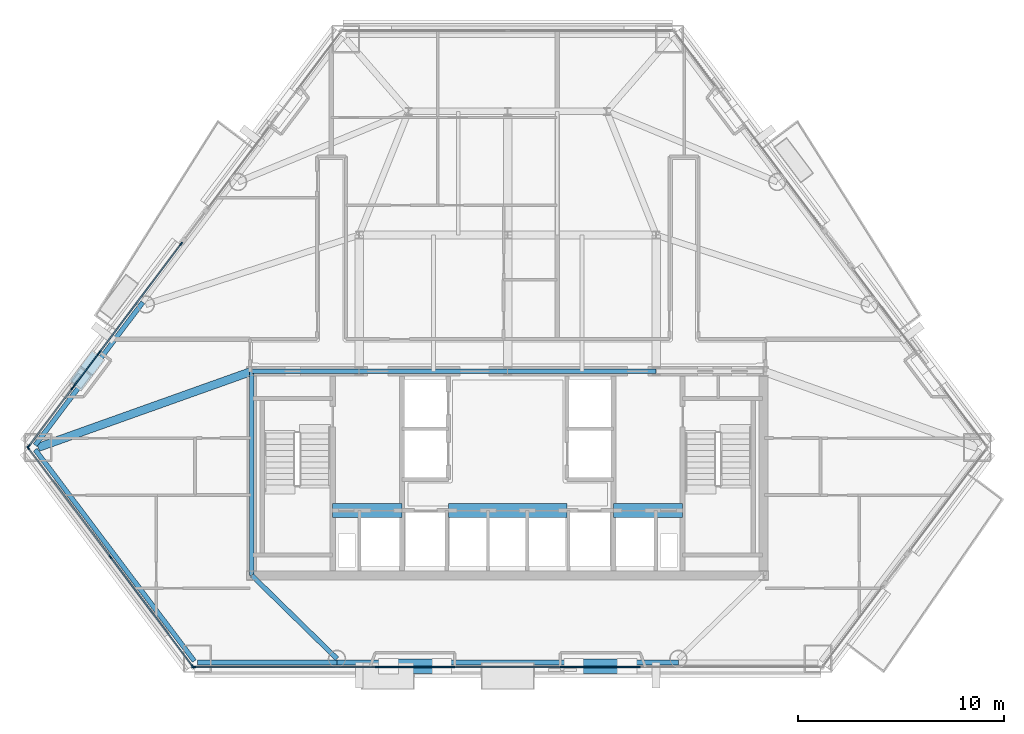
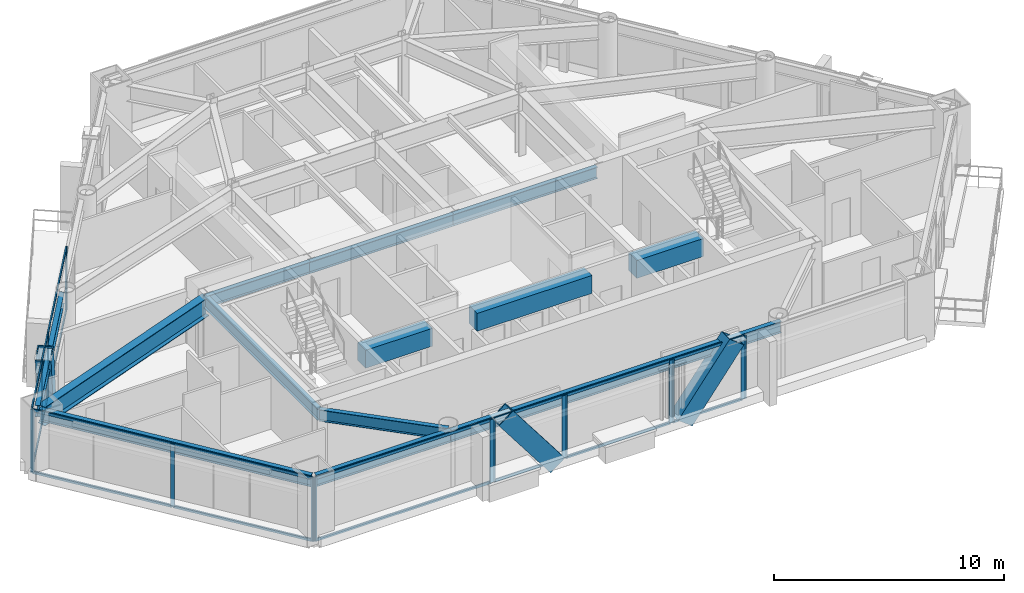
# One storey, part 2 of 11: 39 members, 13 beams, 9 elements without a shape of their own.
"""IFC4 building model written with IfcOpenShell, lengths in metres."""

from ifc_helpers import new_model, si_unit, direction, frame, origin, origin_2d, place, context, subcontext, project, spatial, rectangle, hollow_rectangle, i_section, extrude, material, layer, layer_set, material_profile, profile_set, type_object, element, aggregate, save


model = new_model("IFC4")

# Units and contexts
model_context = context("Model", 3, precision=1e-05, world=origin(), true_north=direction((0.0, 1.0)))
body_context = subcontext(model_context, "Body", "Model", "MODEL_VIEW")
ifc_project = project(units=[si_unit("LENGTHUNIT", "METRE"), si_unit("AREAUNIT", "SQUARE_METRE"), si_unit("VOLUMEUNIT", "CUBIC_METRE"), si_unit("PLANEANGLEUNIT", "RADIAN"), si_unit("MASSUNIT", "GRAM", prefix="KILO")], contexts=[model_context])

# Site, building, storey
site_placement = place(None, origin())
site = spatial("IfcSite", under=ifc_project, at=site_placement, CompositionType="ELEMENT")
building_placement = place(site_placement, origin())
building = spatial("IfcBuilding", under=site, at=building_placement, Name="Talgorran Terracotta Tower", CompositionType="ELEMENT")
storey_placement = place(building_placement, frame((0.0, 0.0, 42.300048828125)))
storey = spatial("IfcBuildingStorey", under=building, at=storey_placement, Name="L10", CompositionType="ELEMENT", Elevation=42.300048828125)

# Beams
ifc_material_1 = material(Name="Steel Grade 350 (350L0)", Category="steel")
ifc_material_profile_1 = material_profile(ifc_material_1, i_section(OverallWidth=0.39990234375, OverallDepth=1.0, WebThickness=0.01611328125, FlangeThickness=0.031005859375, at=origin_2d()), Name="1000WB296")
ifc_profile_set_1 = profile_set([ifc_material_profile_1], Name="Steel Grade 350 (350L0)")
beam_type_1 = type_object("IfcBeamType", Name="BM_1000WB296", PredefinedType="BEAM", material=ifc_profile_set_1)
beam_1_placement = place(storey_placement, frame((-12.39990234375, -4.199951171875, 2.849853515625), z_axis=(-0.941952171634, -0.335747086889, 0.0), x_axis=(0.335747086889, -0.941952171634, 0.0)))
element("IfcBeam", 1, at=beam_1_placement, inside=storey, type_object=beam_type_1, Name="L10 Floor Girder G17", PredefinedType="BEAM", context=body_context, shape_type="SweptSolid", body=[
    extrude(i_section(OverallWidth=0.39990234375, OverallDepth=1.0, WebThickness=0.01611328125, FlangeThickness=0.031005859375, at=origin_2d()), origin(), (0.0, 0.0, 1.0), 10.99755859375),
])
ifc_material_2 = material(Name="Concrete C65/80", Category="concrete")
ifc_material_profile_2 = material_profile(ifc_material_2, rectangle(XDim=0.699951171875, YDim=0.949951171875, at=origin_2d()), Name="RCCB700X950")
ifc_profile_set_2 = profile_set([ifc_material_profile_2], Name="Concrete C65/80")
beam_type_2 = type_object("IfcBeamType", Name="BM_CB_700X950", PredefinedType="LINTEL", material=ifc_profile_set_2)
beam_2_placement = place(storey_placement, frame((-8.47998046875, -10.949951171875, 2.875), z_axis=(1.0, 0.0, 0.0), x_axis=(0.0, 1.0, 0.0)))
element("IfcBeam", 2, at=beam_2_placement, inside=storey, type_object=beam_type_2, Name="L10 Core Shear-Wall Coupling Beam CB1", PredefinedType="LINTEL", context=body_context, shape_type="SweptSolid", body=[
    extrude(rectangle(XDim=0.699951171875, YDim=0.949951171875, at=origin_2d()), origin(), (0.0, 0.0, 1.0), 3.35986328125),
])
beam_3_placement = place(storey_placement, frame((-2.8798828125, -10.949951171875, 2.875), z_axis=(1.0, 0.0, 0.0), x_axis=(0.0, 1.0, 0.0)))
element("IfcBeam", 3, at=beam_3_placement, inside=storey, type_object=beam_type_2, Name="L10 Core Shear-Wall Coupling Beam CB2", PredefinedType="LINTEL", context=body_context, shape_type="SweptSolid", body=[
    extrude(rectangle(XDim=0.699951171875, YDim=0.949951171875, at=origin_2d()), origin(), (0.0, 0.0, 1.0), 5.759765625),
])
beam_4_placement = place(storey_placement, frame((5.1201171875, -10.949951171875, 2.875), z_axis=(1.0, 0.0, 0.0), x_axis=(0.0, 1.0, 0.0)))
element("IfcBeam", 4, at=beam_4_placement, inside=storey, type_object=beam_type_2, Name="L10 Core Shear-Wall Coupling Beam CB3", PredefinedType="LINTEL", context=body_context, shape_type="SweptSolid", body=[
    extrude(rectangle(XDim=0.699951171875, YDim=0.949951171875, at=origin_2d()), origin(), (0.0, 0.0, 1.0), 3.35986328125),
])
ifc_material_3 = material(Name="Steel S355 (300PLUS)", Category="steel")
ifc_material_profile_3 = material_profile(ifc_material_3, i_section(OverallWidth=0.22900390625, OverallDepth=0.611572265625, WebThickness=0.011962890625, FlangeThickness=0.01953125, at=origin_2d()), Name="610UB125")
ifc_profile_set_3 = profile_set([ifc_material_profile_3], Name="Steel S355 (300PLUS)")
beam_type_3 = type_object("IfcBeamType", Name="BM_SP_610UB125", PredefinedType="SPANDREL", material=ifc_profile_set_3)
beam_5_placement = place(storey_placement, frame((-22.90283203125, -8.000732421875, 3.044189453125), z_axis=(0.601631480878, -0.79877378601, 0.0), x_axis=(0.79877378601, 0.601631480878, 0.0)))
element("IfcBeam", 5, at=beam_5_placement, inside=storey, type_object=beam_type_3, Name="L10 Perimeter Spandrel Beam MC1-MC2", PredefinedType="SPANDREL", context=body_context, shape_type="SweptSolid", body=[
    extrude(i_section(OverallWidth=0.22900390625, OverallDepth=0.611572265625, WebThickness=0.011962890625, FlangeThickness=0.01953125, at=origin_2d()), origin(), (0.0, 0.0, 1.0), 12.82373046875),
])
beam_6_placement = place(storey_placement, frame((-15.0439453125, -18.315673828125, 3.044189453125), z_axis=(1.0, 0.0, 0.0), x_axis=(0.0, 1.0, 0.0)))
element("IfcBeam", 6, at=beam_6_placement, inside=storey, type_object=beam_type_3, Name="L10 Perimeter Spandrel Beam MC2-FC1", PredefinedType="SPANDREL", context=body_context, shape_type="SweptSolid", body=[
    extrude(i_section(OverallWidth=0.22900390625, OverallDepth=0.611572265625, WebThickness=0.011962890625, FlangeThickness=0.01953125, at=origin_2d()), origin(), (0.0, 0.0, 1.0), 6.769775390625),
])
beam_7_placement = place(storey_placement, frame((-8.274169921875, -18.315673828125, 3.044189453125), z_axis=(1.0, 0.0, 0.0), x_axis=(0.0, 1.0, 0.0)))
element("IfcBeam", 7, at=beam_7_placement, inside=storey, type_object=beam_type_3, Name="L10 Perimeter Spandrel Beam FC1-FC2", PredefinedType="SPANDREL", context=body_context, shape_type="SweptSolid", body=[
    extrude(i_section(OverallWidth=0.22900390625, OverallDepth=0.611572265625, WebThickness=0.011962890625, FlangeThickness=0.01953125, at=origin_2d()), origin(), (0.0, 0.0, 1.0), 16.54833984375),
])
beam_8_placement = place(storey_placement, frame((-17.68359375, -0.854736328125, 3.044189453125), z_axis=(-0.601633271951, -0.798772436981, 0.0), x_axis=(0.798772436981, -0.601633271951, 0.0)))
element("IfcBeam", 8, at=beam_8_placement, inside=storey, type_object=beam_type_3, Name="L10 Perimeter Spandrel Beam FC6-MC1", PredefinedType="SPANDREL", context=body_context, shape_type="SweptSolid", body=[
    extrude(i_section(OverallWidth=0.22900390625, OverallDepth=0.611572265625, WebThickness=0.011962890625, FlangeThickness=0.01953125, at=origin_2d()), origin(), (0.0, 0.0, 1.0), 8.675048828125),
])
beam_9_placement = place(storey_placement, frame((-8.274169921875, -18.135498046875, 3.044189453125), z_axis=(-0.714889648405, 0.699237292058, 0.0), x_axis=(-0.699237292058, -0.714889648405, 0.0)))
element("IfcBeam", 9, at=beam_9_placement, inside=storey, type_object=beam_type_3, Name="L10 South-West Core Tie Beam", PredefinedType="SPANDREL", context=body_context, shape_type="SweptSolid", body=[
    extrude(i_section(OverallWidth=0.22900390625, OverallDepth=0.611572265625, WebThickness=0.011962890625, FlangeThickness=0.01953125, at=origin_2d()), origin(), (0.0, 0.0, 1.0), 5.771240234375),
])
beam_10_placement = place(storey_placement, frame((-12.39990234375, -14.10009765625, 3.044189453125), z_axis=(0.0, 1.0, 0.0), x_axis=(-1.0, 0.0, 0.0)))
element("IfcBeam", 10, at=beam_10_placement, inside=storey, type_object=beam_type_3, Name="L10 Core Frame Beam CFW", PredefinedType="SPANDREL", context=body_context, shape_type="SweptSolid", body=[
    extrude(i_section(OverallWidth=0.22900390625, OverallDepth=0.611572265625, WebThickness=0.011962890625, FlangeThickness=0.01953125, at=origin_2d()), origin(), (0.0, 0.0, 1.0), 9.900146484375),
])
beam_11_placement = place(storey_placement, frame((-12.39990234375, -4.199951171875, 3.044189453125), z_axis=(1.0, 0.0, 0.0), x_axis=(0.0, 1.0, 0.0)))
element("IfcBeam", 11, at=beam_11_placement, inside=storey, type_object=beam_type_3, Name="L10 Core Frame Beam CFN1", PredefinedType="SPANDREL", context=body_context, shape_type="SweptSolid", body=[
    extrude(i_section(OverallWidth=0.22900390625, OverallDepth=0.611572265625, WebThickness=0.011962890625, FlangeThickness=0.01953125, at=origin_2d()), origin(), (0.0, 0.0, 1.0), 5.199951171875),
])
for number, where, z_axis, x_axis, name in (
    (12, (-7.199951171875, -4.199951171875, 3.044189453125), (1.0, 0.0, 0.0), (0.0, 1.0, 0.0), "L10 Core Frame Beam CFN2"),
    (13, (0.0, -4.199951171875, 3.044189453125), (1.0, 0.0, 0.0), (0.0, 1.0, 0.0), "L10 Core Frame Beam CFN3"),
):
    element("IfcBeam", number, at=place(storey_placement, frame(where, z_axis=z_axis, x_axis=x_axis)), inside=storey, type_object=beam_type_3, Name=name, PredefinedType="SPANDREL", context=body_context, shape_type="SweptSolid", body=[
        extrude(i_section(OverallWidth=0.22900390625, OverallDepth=0.611572265625, WebThickness=0.011962890625, FlangeThickness=0.01953125, at=origin_2d()), origin(), (0.0, 0.0, 1.0), 7.199951171875),
    ])

# Members
ifc_material_profile_4 = material_profile(ifc_material_1, hollow_rectangle(XDim=0.699951171875, YDim=0.89990234375, WallThickness=0.050048828125, at=origin_2d()), Name="WBOX900X700X50")
ifc_profile_set_4 = profile_set([ifc_material_profile_4], Name="Steel Grade 350 (350L0)")
member_type_1 = type_object("IfcMemberType", Name="MB_MEGA_900", PredefinedType="BRACE", material=ifc_profile_set_4)
for number, where, z_axis, x_axis, name in (
    (14, (-3.197021484375, -18.49560546875, -0.025146484375), (-0.605643759268, 0.0, 0.795735908993), (0.0, -1.0, 0.0), "L10 Exterior Face Mega-Brace MB-1 (SWF)"),
    (15, (3.197021484375, -18.49560546875, -0.025146484375), (0.605643759268, 0.0, 0.795735908993), (0.0, 1.0, 0.0), "L10 Exterior Face Mega-Brace MB-1 (SEF)"),
):
    element("IfcMember", number, at=place(storey_placement, frame(where, z_axis=z_axis, x_axis=x_axis)), inside=storey, type_object=member_type_1, Name=name, PredefinedType="BRACE", context=body_context, shape_type="SweptSolid", body=[
        extrude(hollow_rectangle(XDim=0.699951171875, YDim=0.89990234375, WallThickness=0.050048828125, at=origin_2d()), origin(), (0.0, 0.0, 1.0), 4.27294921875),
    ])
member_1_placement = place(storey_placement, frame((-20.127685546875, -3.80029296875, -0.025146484375), z_axis=(-0.159320244597, -0.211526878419, 0.964299455236), x_axis=(0.798774681466, -0.601630291998, 0.0)))
element("IfcMember", 16, at=member_1_placement, inside=storey, type_object=member_type_1, Name="L10 Exterior Face Mega-Brace MB-1 (NWL)", PredefinedType="BRACE", context=body_context, shape_type="SweptSolid", body=[
    extrude(hollow_rectangle(XDim=0.699951171875, YDim=0.89990234375, WallThickness=0.050048828125, at=origin_2d()), origin(), (0.0, 0.0, 1.0), 3.526123046875),
])

# Curtain wall, members
ifc_material_4 = material(Name="Unitised Low-E Double Glazing", Category="glass")
ifc_layer = layer(ifc_material_4, 0.199951171875, Name="CW_SYS2_RES_LOW")
ifc_layer_set = layer_set([ifc_layer], Name="Unitised Low-E Double Glazing")
curtain_wall_type = type_object("IfcCurtainWallType", Name="CW_SYS2_RES_LOW", PredefinedType="NOTDEFINED", material=ifc_layer_set)
curtain_wall_1_placement = place(storey_placement, origin())
curtain_wall_1 = element("IfcCurtainWall", 17, at=curtain_wall_1_placement, inside=storey, type_object=curtain_wall_type, Name="CW-L10-F0", PredefinedType="NOTDEFINED")
ifc_material_5 = material(Name="Architectural Aluminium 6063-T6", Category="aluminium")
ifc_material_profile_5 = material_profile(ifc_material_5, rectangle(XDim=0.06494140625, YDim=0.18505859375, at=origin_2d()), Name="CWM65X185")
ifc_profile_set_5 = profile_set([ifc_material_profile_5], Name="Architectural Aluminium 6063-T6")
member_type_2 = type_object("IfcMemberType", Name="MUL_65X185", PredefinedType="MULLION", material=ifc_profile_set_5)
member_2_placement = place(storey_placement, frame((-23.240234375, -7.91845703125, 0.0), z_axis=(0.0, 0.0, 1.0), x_axis=(0.798773515054, 0.60163184062, 0.0)))
member_2 = element("IfcMember", 18, at=member_2_placement, type_object=member_type_2, Name="CW-L10-0 mullion 1", PredefinedType="MULLION", context=body_context, shape_type="SweptSolid", body=[
    extrude(rectangle(XDim=0.06494140625, YDim=0.18505859375, at=origin_2d()), origin(), (0.0, 0.0, 1.0), 3.349853515625),
])
member_3_placement = place(storey_placement, frame((-19.251708984375, -13.214111328125, 0.0), z_axis=(0.0, 0.0, 1.0), x_axis=(0.798773515054, 0.60163184062, 0.0)))
member_3 = element("IfcMember", 19, at=member_3_placement, type_object=member_type_2, Name="CW-L10-0 mullion 2", PredefinedType="MULLION", context=body_context, shape_type="SweptSolid", body=[
    extrude(rectangle(XDim=0.06494140625, YDim=0.18505859375, at=origin_2d()), origin(), (0.0, 0.0, 1.0), 3.349853515625),
])
member_4_placement = place(storey_placement, frame((-15.262939453125, -18.509521484375, 0.0), z_axis=(0.0, 0.0, 1.0), x_axis=(0.798773515054, 0.60163184062, 0.0)))
member_4 = element("IfcMember", 20, at=member_4_placement, type_object=member_type_2, Name="CW-L10-0 mullion 3", PredefinedType="MULLION", context=body_context, shape_type="SweptSolid", body=[
    extrude(rectangle(XDim=0.06494140625, YDim=0.18505859375, at=origin_2d()), origin(), (0.0, 0.0, 1.0), 3.349853515625),
])

curtain_wall_2_placement = place(storey_placement, origin())
curtain_wall_2 = element("IfcCurtainWall", 21, at=curtain_wall_2_placement, inside=storey, type_object=curtain_wall_type, Name="CW-L10-F1", PredefinedType="NOTDEFINED")
member_5_placement = place(storey_placement, frame((-15.2109375, -18.53564453125, 0.0), z_axis=(0.0, 0.0, 1.0), x_axis=(0.0, 1.0, 0.0)))
member_5 = element("IfcMember", 22, at=member_5_placement, type_object=member_type_2, Name="CW-L10-1 mullion 1", PredefinedType="MULLION", context=body_context, shape_type="SweptSolid", body=[
    extrude(rectangle(XDim=0.06494140625, YDim=0.18505859375, at=origin_2d()), origin(), (0.0, 0.0, 1.0), 3.349853515625),
])
member_6_placement = place(storey_placement, frame((-6.33056640625, -18.53564453125, 0.0), z_axis=(0.0, 0.0, 1.0), x_axis=(0.0, 1.0, 0.0)))
member_6 = element("IfcMember", 23, at=member_6_placement, type_object=member_type_2, Name="CW-L10-1 mullion 2", PredefinedType="MULLION", context=body_context, shape_type="SweptSolid", body=[
    extrude(rectangle(XDim=0.06494140625, YDim=0.18505859375, at=origin_2d()), origin(), (0.0, 0.0, 1.0), 3.349853515625),
])

curtain_wall_3_placement = place(storey_placement, origin())
curtain_wall_3 = element("IfcCurtainWall", 24, at=curtain_wall_3_placement, inside=storey, type_object=curtain_wall_type, Name="CW-L10-F1B", PredefinedType="NOTDEFINED")
member_7_placement = place(storey_placement, frame((-6.255615234375, -18.53564453125, 0.0), z_axis=(0.0, 0.0, 1.0), x_axis=(0.0, 1.0, 0.0)))
member_7 = element("IfcMember", 25, at=member_7_placement, type_object=member_type_2, Name="CW-L10-1B mullion 1", PredefinedType="MULLION", context=body_context, shape_type="SweptSolid", body=[
    extrude(rectangle(XDim=0.06494140625, YDim=0.18505859375, at=origin_2d()), origin(), (0.0, 0.0, 1.0), 3.349853515625),
])
member_8_placement = place(storey_placement, frame((-2.726318359375, -18.53564453125, 0.0), z_axis=(0.0, 0.0, 1.0), x_axis=(0.0, 1.0, 0.0)))
member_8 = element("IfcMember", 26, at=member_8_placement, type_object=member_type_2, Name="CW-L10-1B mullion 2", PredefinedType="MULLION", context=body_context, shape_type="SweptSolid", body=[
    extrude(rectangle(XDim=0.06494140625, YDim=0.18505859375, at=origin_2d()), origin(), (0.0, 0.0, 1.0), 3.349853515625),
])

curtain_wall_4_placement = place(storey_placement, origin())
curtain_wall_4 = element("IfcCurtainWall", 27, at=curtain_wall_4_placement, inside=storey, type_object=curtain_wall_type, Name="CW-L10-F1C", PredefinedType="NOTDEFINED")
member_9_placement = place(storey_placement, frame((-2.6513671875, -18.53564453125, 0.0), z_axis=(0.0, 0.0, 1.0), x_axis=(0.0, 1.0, 0.0)))
member_9 = element("IfcMember", 28, at=member_9_placement, type_object=member_type_2, Name="CW-L10-1C mullion 1", PredefinedType="MULLION", context=body_context, shape_type="SweptSolid", body=[
    extrude(rectangle(XDim=0.06494140625, YDim=0.18505859375, at=origin_2d()), origin(), (0.0, 0.0, 1.0), 3.349853515625),
])
member_10_placement = place(storey_placement, frame((2.6513671875, -18.53564453125, 0.0), z_axis=(0.0, 0.0, 1.0), x_axis=(0.0, 1.0, 0.0)))
member_10 = element("IfcMember", 29, at=member_10_placement, type_object=member_type_2, Name="CW-L10-1C mullion 2", PredefinedType="MULLION", context=body_context, shape_type="SweptSolid", body=[
    extrude(rectangle(XDim=0.06494140625, YDim=0.18505859375, at=origin_2d()), origin(), (0.0, 0.0, 1.0), 3.349853515625),
])

curtain_wall_5_placement = place(storey_placement, origin())
curtain_wall_5 = element("IfcCurtainWall", 30, at=curtain_wall_5_placement, inside=storey, type_object=curtain_wall_type, Name="CW-L10-F1D", PredefinedType="NOTDEFINED")
member_11_placement = place(storey_placement, frame((2.726318359375, -18.53564453125, 0.0), z_axis=(0.0, 0.0, 1.0), x_axis=(0.0, 1.0, 0.0)))
member_11 = element("IfcMember", 31, at=member_11_placement, type_object=member_type_2, Name="CW-L10-1D mullion 1", PredefinedType="MULLION", context=body_context, shape_type="SweptSolid", body=[
    extrude(rectangle(XDim=0.06494140625, YDim=0.18505859375, at=origin_2d()), origin(), (0.0, 0.0, 1.0), 3.349853515625),
])
member_12_placement = place(storey_placement, frame((6.255615234375, -18.53564453125, 0.0), z_axis=(0.0, 0.0, 1.0), x_axis=(0.0, 1.0, 0.0)))
member_12 = element("IfcMember", 32, at=member_12_placement, type_object=member_type_2, Name="CW-L10-1D mullion 2", PredefinedType="MULLION", context=body_context, shape_type="SweptSolid", body=[
    extrude(rectangle(XDim=0.06494140625, YDim=0.18505859375, at=origin_2d()), origin(), (0.0, 0.0, 1.0), 3.349853515625),
])

# Curtain wall, member
curtain_wall_6_placement = place(storey_placement, origin())
curtain_wall_6 = element("IfcCurtainWall", 33, at=curtain_wall_6_placement, inside=storey, type_object=curtain_wall_type, Name="CW-L10-F1E", PredefinedType="NOTDEFINED")
member_13_placement = place(storey_placement, frame((6.33056640625, -18.53564453125, 0.0), z_axis=(0.0, 0.0, 1.0), x_axis=(0.0, 1.0, 0.0)))
member_13 = element("IfcMember", 34, at=member_13_placement, type_object=member_type_2, Name="CW-L10-1E mullion 1", PredefinedType="MULLION", context=body_context, shape_type="SweptSolid", body=[
    extrude(rectangle(XDim=0.06494140625, YDim=0.18505859375, at=origin_2d()), origin(), (0.0, 0.0, 1.0), 3.349853515625),
])
aggregate(curtain_wall_6, [member_13])

# Curtain wall, members
curtain_wall_7_placement = place(storey_placement, origin())
curtain_wall_7 = element("IfcCurtainWall", 35, at=curtain_wall_7_placement, inside=storey, type_object=curtain_wall_type, Name="CW-L10-F61", PredefinedType="NOTDEFINED")
member_14_placement = place(storey_placement, frame((-15.83154296875, 1.97021484375, 0.0), z_axis=(0.0, 0.0, 1.0), x_axis=(0.798778008849, -0.60162587426, 0.0)))
member_14 = element("IfcMember", 36, at=member_14_placement, type_object=member_type_2, Name="CW-L10-61 mullion 1", PredefinedType="MULLION", context=body_context, shape_type="SweptSolid", body=[
    extrude(rectangle(XDim=0.06494140625, YDim=0.18505859375, at=origin_2d()), origin(), (0.0, 0.0, 1.0), 3.349853515625),
])
member_15_placement = place(storey_placement, frame((-19.78564453125, -3.27978515625, 0.0), z_axis=(0.0, 0.0, 1.0), x_axis=(0.798778008849, -0.60162587426, 0.0)))
member_15 = element("IfcMember", 37, at=member_15_placement, type_object=member_type_2, Name="CW-L10-61 mullion 2", PredefinedType="MULLION", context=body_context, shape_type="SweptSolid", body=[
    extrude(rectangle(XDim=0.06494140625, YDim=0.18505859375, at=origin_2d()), origin(), (0.0, 0.0, 1.0), 3.349853515625),
])

curtain_wall_8_placement = place(storey_placement, origin())
curtain_wall_8 = element("IfcCurtainWall", 38, at=curtain_wall_8_placement, inside=storey, type_object=curtain_wall_type, Name="CW-L10-F61B", PredefinedType="NOTDEFINED")
member_16_placement = place(storey_placement, frame((-19.830810546875, -3.33984375, 0.0), z_axis=(0.0, 0.0, 1.0), x_axis=(0.798782111654, -0.601620426931, 0.0)))
member_16 = element("IfcMember", 39, at=member_16_placement, type_object=member_type_2, Name="CW-L10-61B mullion 1", PredefinedType="MULLION", context=body_context, shape_type="SweptSolid", body=[
    extrude(rectangle(XDim=0.06494140625, YDim=0.18505859375, at=origin_2d()), origin(), (0.0, 0.0, 1.0), 3.349853515625),
])
member_17_placement = place(storey_placement, frame((-21.050048828125, -4.958740234375, 0.0), z_axis=(0.0, 0.0, 1.0), x_axis=(0.798782111654, -0.601620426931, 0.0)))
member_17 = element("IfcMember", 40, at=member_17_placement, type_object=member_type_2, Name="CW-L10-61B mullion 2", PredefinedType="MULLION", context=body_context, shape_type="SweptSolid", body=[
    extrude(rectangle(XDim=0.06494140625, YDim=0.18505859375, at=origin_2d()), origin(), (0.0, 0.0, 1.0), 3.349853515625),
])

curtain_wall_9_placement = place(storey_placement, origin())
curtain_wall_9 = element("IfcCurtainWall", 41, at=curtain_wall_9_placement, inside=storey, type_object=curtain_wall_type, Name="CW-L10-F61C", PredefinedType="NOTDEFINED")
member_18_placement = place(storey_placement, frame((-21.09521484375, -5.0185546875, 0.0), z_axis=(0.0, 0.0, 1.0), x_axis=(0.798775023222, -0.601629838254, 0.0)))
member_18 = element("IfcMember", 42, at=member_18_placement, type_object=member_type_2, Name="CW-L10-61C mullion 1", PredefinedType="MULLION", context=body_context, shape_type="SweptSolid", body=[
    extrude(rectangle(XDim=0.06494140625, YDim=0.18505859375, at=origin_2d()), origin(), (0.0, 0.0, 1.0), 3.349853515625),
])
member_19_placement = place(storey_placement, frame((-23.216064453125, -7.83447265625, 0.0), z_axis=(0.0, 0.0, 1.0), x_axis=(0.798775023222, -0.601629838254, 0.0)))
member_19 = element("IfcMember", 43, at=member_19_placement, type_object=member_type_2, Name="CW-L10-61C mullion 2", PredefinedType="MULLION", context=body_context, shape_type="SweptSolid", body=[
    extrude(rectangle(XDim=0.06494140625, YDim=0.18505859375, at=origin_2d()), origin(), (0.0, 0.0, 1.0), 3.349853515625),
])

# Member
ifc_material_profile_6 = material_profile(ifc_material_5, rectangle(XDim=0.06494140625, YDim=0.14990234375, at=origin_2d()), Name="CWT65X150")
ifc_profile_set_6 = profile_set([ifc_material_profile_6], Name="Architectural Aluminium 6063-T6")
member_type_3 = type_object("IfcMemberType", Name="TRN_65X150", PredefinedType="USERDEFINED", material=ifc_profile_set_6)
member_20_placement = place(storey_placement, frame((-23.220703125, -7.9443359375, 0.032470703125), z_axis=(0.601629181278, -0.798775518049, 0.0), x_axis=(0.798775518049, 0.601629181278, 0.0)))
member_20 = element("IfcMember", 44, at=member_20_placement, type_object=member_type_3, Name="CW-L10-0 transom 1.1", ObjectType="TRANSOM", PredefinedType="USERDEFINED", context=body_context, shape_type="SweptSolid", body=[
    extrude(rectangle(XDim=0.06494140625, YDim=0.14990234375, at=origin_2d()), origin(), (0.0, 0.0, 1.0), 6.564697265625),
])

member_21_placement = place(storey_placement, frame((-23.220703125, -7.9443359375, 3.3173828125), z_axis=(0.601629181278, -0.798775518049, 0.0), x_axis=(0.798775518049, 0.601629181278, 0.0)))
member_21 = element("IfcMember", 45, at=member_21_placement, type_object=member_type_3, Name="CW-L10-0 transom 1.2", ObjectType="TRANSOM", PredefinedType="USERDEFINED", context=body_context, shape_type="SweptSolid", body=[
    extrude(rectangle(XDim=0.06494140625, YDim=0.14990234375, at=origin_2d()), origin(), (0.0, 0.0, 1.0), 6.564697265625),
])

member_22_placement = place(storey_placement, frame((-19.23193359375, -13.239990234375, 0.032470703125), z_axis=(0.601629181278, -0.798775518049, 0.0), x_axis=(0.798775518049, 0.601629181278, 0.0)))
member_22 = element("IfcMember", 46, at=member_22_placement, type_object=member_type_3, Name="CW-L10-0 transom 2.1", ObjectType="TRANSOM", PredefinedType="USERDEFINED", context=body_context, shape_type="SweptSolid", body=[
    extrude(rectangle(XDim=0.06494140625, YDim=0.14990234375, at=origin_2d()), origin(), (0.0, 0.0, 1.0), 6.564697265625),
])

member_23_placement = place(storey_placement, frame((-19.23193359375, -13.239990234375, 3.3173828125), z_axis=(0.601629181278, -0.798775518049, 0.0), x_axis=(0.798775518049, 0.601629181278, 0.0)))
member_23 = element("IfcMember", 47, at=member_23_placement, type_object=member_type_3, Name="CW-L10-0 transom 2.2", ObjectType="TRANSOM", PredefinedType="USERDEFINED", context=body_context, shape_type="SweptSolid", body=[
    extrude(rectangle(XDim=0.06494140625, YDim=0.14990234375, at=origin_2d()), origin(), (0.0, 0.0, 1.0), 6.564697265625),
])

aggregate(curtain_wall_1, [member_2, member_3, member_4, member_20, member_21, member_22, member_23])

member_24_placement = place(storey_placement, frame((-15.178466796875, -18.53564453125, 0.032470703125), z_axis=(1.0, 0.0, 0.0), x_axis=(0.0, 1.0, 0.0)))
member_24 = element("IfcMember", 48, at=member_24_placement, type_object=member_type_3, Name="CW-L10-1 transom 1.1", ObjectType="TRANSOM", PredefinedType="USERDEFINED", context=body_context, shape_type="SweptSolid", body=[
    extrude(rectangle(XDim=0.06494140625, YDim=0.14990234375, at=origin_2d()), origin(), (0.0, 0.0, 1.0), 8.8154296875),
])

member_25_placement = place(storey_placement, frame((-15.178466796875, -18.53564453125, 3.3173828125), z_axis=(1.0, 0.0, 0.0), x_axis=(0.0, 1.0, 0.0)))
member_25 = element("IfcMember", 49, at=member_25_placement, type_object=member_type_3, Name="CW-L10-1 transom 1.2", ObjectType="TRANSOM", PredefinedType="USERDEFINED", context=body_context, shape_type="SweptSolid", body=[
    extrude(rectangle(XDim=0.06494140625, YDim=0.14990234375, at=origin_2d()), origin(), (0.0, 0.0, 1.0), 8.8154296875),
])

aggregate(curtain_wall_2, [member_5, member_6, member_24, member_25])

member_26_placement = place(storey_placement, frame((-6.222900390625, -18.53564453125, 0.032470703125), z_axis=(1.0, 0.0, 0.0), x_axis=(0.0, 1.0, 0.0)))
member_26 = element("IfcMember", 50, at=member_26_placement, type_object=member_type_3, Name="CW-L10-1B transom 1.1", ObjectType="TRANSOM", PredefinedType="USERDEFINED", context=body_context, shape_type="SweptSolid", body=[
    extrude(rectangle(XDim=0.06494140625, YDim=0.14990234375, at=origin_2d()), origin(), (0.0, 0.0, 1.0), 3.464111328125),
])

member_27_placement = place(storey_placement, frame((-6.222900390625, -18.53564453125, 3.3173828125), z_axis=(1.0, 0.0, 0.0), x_axis=(0.0, 1.0, 0.0)))
member_27 = element("IfcMember", 51, at=member_27_placement, type_object=member_type_3, Name="CW-L10-1B transom 1.2", ObjectType="TRANSOM", PredefinedType="USERDEFINED", context=body_context, shape_type="SweptSolid", body=[
    extrude(rectangle(XDim=0.06494140625, YDim=0.14990234375, at=origin_2d()), origin(), (0.0, 0.0, 1.0), 3.464111328125),
])

aggregate(curtain_wall_3, [member_7, member_8, member_26, member_27])

member_28_placement = place(storey_placement, frame((-2.618896484375, -18.53564453125, 0.032470703125), z_axis=(1.0, 0.0, 0.0), x_axis=(0.0, 1.0, 0.0)))
member_28 = element("IfcMember", 52, at=member_28_placement, type_object=member_type_3, Name="CW-L10-1C transom 1.1", ObjectType="TRANSOM", PredefinedType="USERDEFINED", context=body_context, shape_type="SweptSolid", body=[
    extrude(rectangle(XDim=0.06494140625, YDim=0.14990234375, at=origin_2d()), origin(), (0.0, 0.0, 1.0), 5.23779296875),
])

member_29_placement = place(storey_placement, frame((-2.618896484375, -18.53564453125, 3.3173828125), z_axis=(1.0, 0.0, 0.0), x_axis=(0.0, 1.0, 0.0)))
member_29 = element("IfcMember", 53, at=member_29_placement, type_object=member_type_3, Name="CW-L10-1C transom 1.2", ObjectType="TRANSOM", PredefinedType="USERDEFINED", context=body_context, shape_type="SweptSolid", body=[
    extrude(rectangle(XDim=0.06494140625, YDim=0.14990234375, at=origin_2d()), origin(), (0.0, 0.0, 1.0), 5.23779296875),
])

aggregate(curtain_wall_4, [member_9, member_10, member_28, member_29])

member_30_placement = place(storey_placement, frame((2.7587890625, -18.53564453125, 0.032470703125), z_axis=(1.0, 0.0, 0.0), x_axis=(0.0, 1.0, 0.0)))
member_30 = element("IfcMember", 54, at=member_30_placement, type_object=member_type_3, Name="CW-L10-1D transom 1.1", ObjectType="TRANSOM", PredefinedType="USERDEFINED", context=body_context, shape_type="SweptSolid", body=[
    extrude(rectangle(XDim=0.06494140625, YDim=0.14990234375, at=origin_2d()), origin(), (0.0, 0.0, 1.0), 3.464111328125),
])

member_31_placement = place(storey_placement, frame((2.7587890625, -18.53564453125, 3.3173828125), z_axis=(1.0, 0.0, 0.0), x_axis=(0.0, 1.0, 0.0)))
member_31 = element("IfcMember", 55, at=member_31_placement, type_object=member_type_3, Name="CW-L10-1D transom 1.2", ObjectType="TRANSOM", PredefinedType="USERDEFINED", context=body_context, shape_type="SweptSolid", body=[
    extrude(rectangle(XDim=0.06494140625, YDim=0.14990234375, at=origin_2d()), origin(), (0.0, 0.0, 1.0), 3.464111328125),
])

aggregate(curtain_wall_5, [member_11, member_12, member_30, member_31])

member_32_placement = place(storey_placement, frame((-15.85107421875, 1.944091796875, 0.032470703125), z_axis=(-0.601625504487, -0.798778287356, 0.0), x_axis=(0.798778287356, -0.601625504487, 0.0)))
member_32 = element("IfcMember", 56, at=member_32_placement, type_object=member_type_3, Name="CW-L10-61 transom 1.1", ObjectType="TRANSOM", PredefinedType="USERDEFINED", context=body_context, shape_type="SweptSolid", body=[
    extrude(rectangle(XDim=0.06494140625, YDim=0.14990234375, at=origin_2d()), origin(), (0.0, 0.0, 1.0), 6.50732421875),
])

member_33_placement = place(storey_placement, frame((-15.85107421875, 1.944091796875, 3.3173828125), z_axis=(-0.601625504487, -0.798778287356, 0.0), x_axis=(0.798778287356, -0.601625504487, 0.0)))
member_33 = element("IfcMember", 57, at=member_33_placement, type_object=member_type_3, Name="CW-L10-61 transom 1.2", ObjectType="TRANSOM", PredefinedType="USERDEFINED", context=body_context, shape_type="SweptSolid", body=[
    extrude(rectangle(XDim=0.06494140625, YDim=0.14990234375, at=origin_2d()), origin(), (0.0, 0.0, 1.0), 6.50732421875),
])

aggregate(curtain_wall_7, [member_14, member_15, member_32, member_33])

member_34_placement = place(storey_placement, frame((-19.850341796875, -3.36572265625, 0.032470703125), z_axis=(-0.601631643648, -0.798773663412, 0.0), x_axis=(0.798773663412, -0.601631643648, 0.0)))
member_34 = element("IfcMember", 58, at=member_34_placement, type_object=member_type_3, Name="CW-L10-61B transom 1.1", ObjectType="TRANSOM", PredefinedType="USERDEFINED", context=body_context, shape_type="SweptSolid", body=[
    extrude(rectangle(XDim=0.06494140625, YDim=0.14990234375, at=origin_2d()), origin(), (0.0, 0.0, 1.0), 1.961669921875),
])

member_35_placement = place(storey_placement, frame((-19.850341796875, -3.36572265625, 3.3173828125), z_axis=(-0.601631643648, -0.798773663412, 0.0), x_axis=(0.798773663412, -0.601631643648, 0.0)))
member_35 = element("IfcMember", 59, at=member_35_placement, type_object=member_type_3, Name="CW-L10-61B transom 1.2", ObjectType="TRANSOM", PredefinedType="USERDEFINED", context=body_context, shape_type="SweptSolid", body=[
    extrude(rectangle(XDim=0.06494140625, YDim=0.14990234375, at=origin_2d()), origin(), (0.0, 0.0, 1.0), 1.961669921875),
])

aggregate(curtain_wall_8, [member_16, member_17, member_34, member_35])

member_36_placement = place(storey_placement, frame((-21.11474609375, -5.04443359375, 0.032470703125), z_axis=(-0.601601749915, -0.79879617832, 0.0), x_axis=(0.79879617832, -0.601601749915, 0.0)))
member_36 = element("IfcMember", 60, at=member_36_placement, type_object=member_type_3, Name="CW-L10-61C transom 1.1", ObjectType="TRANSOM", PredefinedType="USERDEFINED", context=body_context, shape_type="SweptSolid", body=[
    extrude(rectangle(XDim=0.06494140625, YDim=0.14990234375, at=origin_2d()), origin(), (0.0, 0.0, 1.0), 3.46044921875),
])

member_37_placement = place(storey_placement, frame((-21.11474609375, -5.04443359375, 3.3173828125), z_axis=(-0.601601749915, -0.79879617832, 0.0), x_axis=(0.79879617832, -0.601601749915, 0.0)))
member_37 = element("IfcMember", 61, at=member_37_placement, type_object=member_type_3, Name="CW-L10-61C transom 1.2", ObjectType="TRANSOM", PredefinedType="USERDEFINED", context=body_context, shape_type="SweptSolid", body=[
    extrude(rectangle(XDim=0.06494140625, YDim=0.14990234375, at=origin_2d()), origin(), (0.0, 0.0, 1.0), 3.46044921875),
])

aggregate(curtain_wall_9, [member_18, member_19, member_36, member_37])

save(model, "model.ifc")
